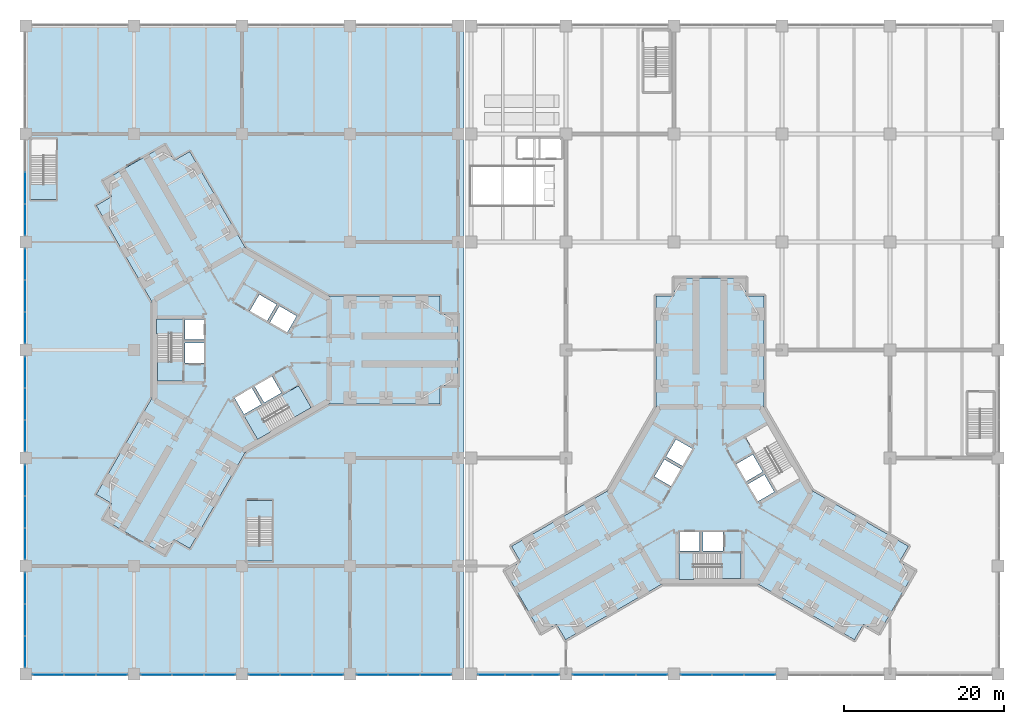
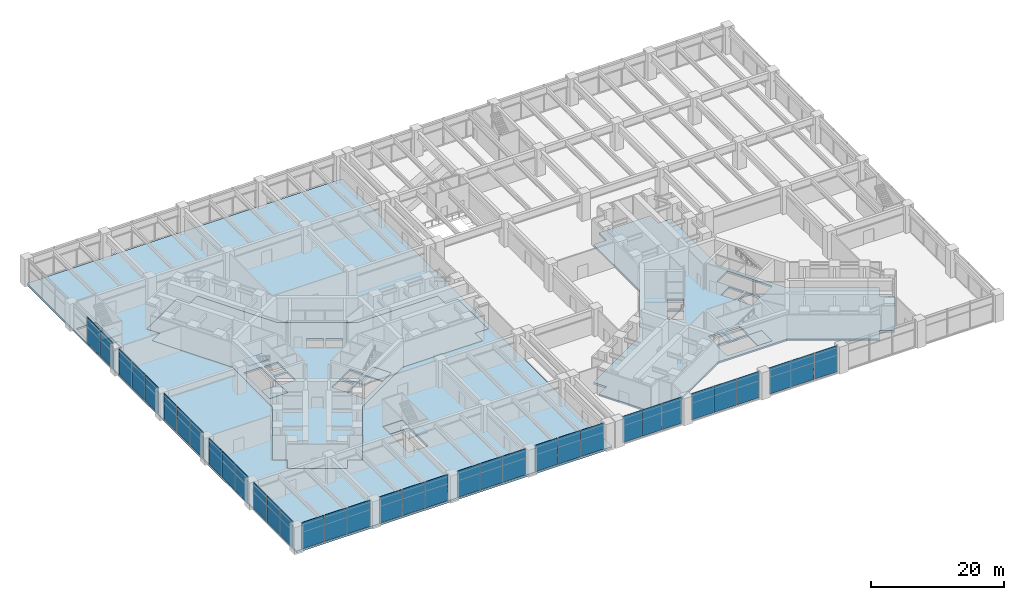
# One storey, part 18 of 32: 35 plates, 12 slabs, 17 elements without a shape of their own.
"""IFC4 building model written with IfcOpenShell, lengths in metres."""

from ifc_helpers import new_model, si_unit, direction, frame, origin, origin_2d, place, context, subcontext, project, spatial, polyline, rectangle, outline, extrude, material, layer, layer_set, type_object, element, aggregate, save


model = new_model("IFC4")

# Units and contexts
model_context = context("Model", 3, precision=1e-05, world=origin(), true_north=direction((0.0, 1.0)))
body_context = subcontext(model_context, "Body", "Model", "MODEL_VIEW")
ifc_project = project(units=[si_unit("LENGTHUNIT", "METRE"), si_unit("AREAUNIT", "SQUARE_METRE"), si_unit("VOLUMEUNIT", "CUBIC_METRE"), si_unit("PLANEANGLEUNIT", "RADIAN"), si_unit("MASSUNIT", "GRAM", prefix="KILO")], contexts=[model_context])

# Site, building, storey
site_placement = place(None, origin())
site = spatial("IfcSite", under=ifc_project, at=site_placement, CompositionType="ELEMENT")
building_placement = place(site_placement, origin())
building = spatial("IfcBuilding", under=site, at=building_placement, Name="Upepo Twin Towers", CompositionType="ELEMENT")
storey_placement = place(building_placement, frame((0.0, 0.0, 5.5)))
storey = spatial("IfcBuildingStorey", under=building, at=storey_placement, Name="L01", CompositionType="ELEMENT", Elevation=5.5)

# Curtain wall, plates
ifc_material_1 = material(Name="Aluminium and clear glass", Category="aluminium")
curtain_wall_type = type_object("IfcCurtainWallType", Name="Podium curtain wall PW1", PredefinedType="NOTDEFINED", material=ifc_material_1)
curtain_wall_1_placement = place(storey_placement, origin())
curtain_wall_1 = element("IfcCurtainWall", 1, at=curtain_wall_1_placement, inside=storey, type_object=curtain_wall_type, Name="Podium L01 curtain wall S1", PredefinedType="NOTDEFINED")
ifc_material_2 = material(Name="Ceramic-fritted laminated glass", Category="glass")
ifc_layer_1 = layer(ifc_material_2, 0.031982421875)
ifc_layer_set_1 = layer_set([ifc_layer_1], Name="Fritted glass panel, 32 mm double glazed")
plate_type_1 = type_object("IfcPlateType", Name="Fritted glass panel, 32 mm double glazed", PredefinedType="CURTAIN_PANEL", material=ifc_layer_set_1)
plate_1_placement = place(storey_placement, frame((-24.21044921875, -40.60009765625, 0.14990234375), z_axis=(0.0, 0.0, 1.0), x_axis=(1.0, 0.0, 0.0)))
plate_1 = element("IfcPlate", 2, at=plate_1_placement, type_object=plate_type_1, Name="Podium L01 curtain wall S1 panel 1", PredefinedType="CURTAIN_PANEL", context=body_context, shape_type="SweptSolid", body=[
    extrude(rectangle(XDim=3.879150390625, YDim=0.031982421875, at=origin_2d()), origin(), (0.0, 0.0, 1.0), 4.85009765625),
])
plate_2_placement = place(storey_placement, frame((-16.28955078125, -40.60009765625, 0.14990234375), z_axis=(0.0, 0.0, 1.0), x_axis=(1.0, 0.0, 0.0)))
plate_2 = element("IfcPlate", 3, at=plate_2_placement, type_object=plate_type_1, Name="Podium L01 curtain wall S1 panel 3", PredefinedType="CURTAIN_PANEL", context=body_context, shape_type="SweptSolid", body=[
    extrude(rectangle(XDim=3.879150390625, YDim=0.031982421875, at=origin_2d()), origin(), (0.0, 0.0, 1.0), 4.85009765625),
])

curtain_wall_2_placement = place(storey_placement, origin())
curtain_wall_2 = element("IfcCurtainWall", 4, at=curtain_wall_2_placement, inside=storey, type_object=curtain_wall_type, Name="Podium L01 curtain wall S2", PredefinedType="NOTDEFINED")
plate_3_placement = place(storey_placement, frame((-10.71044921875, -40.60009765625, 0.14990234375), z_axis=(0.0, 0.0, 1.0), x_axis=(1.0, 0.0, 0.0)))
plate_3 = element("IfcPlate", 5, at=plate_3_placement, type_object=plate_type_1, Name="Podium L01 curtain wall S2 panel 1", PredefinedType="CURTAIN_PANEL", context=body_context, shape_type="SweptSolid", body=[
    extrude(rectangle(XDim=3.879150390625, YDim=0.031982421875, at=origin_2d()), origin(), (0.0, 0.0, 1.0), 4.85009765625),
])
plate_4_placement = place(storey_placement, frame((-2.78955078125, -40.60009765625, 0.14990234375), z_axis=(0.0, 0.0, 1.0), x_axis=(1.0, 0.0, 0.0)))
plate_4 = element("IfcPlate", 6, at=plate_4_placement, type_object=plate_type_1, Name="Podium L01 curtain wall S2 panel 3", PredefinedType="CURTAIN_PANEL", context=body_context, shape_type="SweptSolid", body=[
    extrude(rectangle(XDim=3.879150390625, YDim=0.031982421875, at=origin_2d()), origin(), (0.0, 0.0, 1.0), 4.85009765625),
])

curtain_wall_3_placement = place(storey_placement, origin())
curtain_wall_3 = element("IfcCurtainWall", 7, at=curtain_wall_3_placement, inside=storey, type_object=curtain_wall_type, Name="Podium L01 curtain wall S3", PredefinedType="NOTDEFINED")
plate_5_placement = place(storey_placement, frame((2.78955078125, -40.60009765625, 0.14990234375), z_axis=(0.0, 0.0, 1.0), x_axis=(1.0, 0.0, 0.0)))
plate_5 = element("IfcPlate", 8, at=plate_5_placement, type_object=plate_type_1, Name="Podium L01 curtain wall S3 panel 1", PredefinedType="CURTAIN_PANEL", context=body_context, shape_type="SweptSolid", body=[
    extrude(rectangle(XDim=3.879150390625, YDim=0.031982421875, at=origin_2d()), origin(), (0.0, 0.0, 1.0), 4.85009765625),
])
plate_6_placement = place(storey_placement, frame((10.71044921875, -40.60009765625, 0.14990234375), z_axis=(0.0, 0.0, 1.0), x_axis=(1.0, 0.0, 0.0)))
plate_6 = element("IfcPlate", 9, at=plate_6_placement, type_object=plate_type_1, Name="Podium L01 curtain wall S3 panel 3", PredefinedType="CURTAIN_PANEL", context=body_context, shape_type="SweptSolid", body=[
    extrude(rectangle(XDim=3.879150390625, YDim=0.031982421875, at=origin_2d()), origin(), (0.0, 0.0, 1.0), 4.85009765625),
])

curtain_wall_4_placement = place(storey_placement, origin())
curtain_wall_4 = element("IfcCurtainWall", 10, at=curtain_wall_4_placement, inside=storey, type_object=curtain_wall_type, Name="Podium L01 curtain wall S4", PredefinedType="NOTDEFINED")
plate_7_placement = place(storey_placement, frame((16.28955078125, -40.60009765625, 0.14990234375), z_axis=(0.0, 0.0, 1.0), x_axis=(1.0, 0.0, 0.0)))
plate_7 = element("IfcPlate", 11, at=plate_7_placement, type_object=plate_type_1, Name="Podium L01 curtain wall S4 panel 1", PredefinedType="CURTAIN_PANEL", context=body_context, shape_type="SweptSolid", body=[
    extrude(rectangle(XDim=3.879150390625, YDim=0.031982421875, at=origin_2d()), origin(), (0.0, 0.0, 1.0), 4.85009765625),
])
plate_8_placement = place(storey_placement, frame((24.21044921875, -40.60009765625, 0.14990234375), z_axis=(0.0, 0.0, 1.0), x_axis=(1.0, 0.0, 0.0)))
plate_8 = element("IfcPlate", 12, at=plate_8_placement, type_object=plate_type_1, Name="Podium L01 curtain wall S4 panel 3", PredefinedType="CURTAIN_PANEL", context=body_context, shape_type="SweptSolid", body=[
    extrude(rectangle(XDim=3.879150390625, YDim=0.031982421875, at=origin_2d()), origin(), (0.0, 0.0, 1.0), 4.85009765625),
])

curtain_wall_5_placement = place(storey_placement, origin())
curtain_wall_5 = element("IfcCurtainWall", 13, at=curtain_wall_5_placement, inside=storey, type_object=curtain_wall_type, Name="Podium L01 curtain wall S5", PredefinedType="NOTDEFINED")
plate_9_placement = place(storey_placement, frame((31.16455078125, -40.60009765625, 0.14990234375), z_axis=(0.0, 0.0, 1.0), x_axis=(1.0, 0.0, 0.0)))
plate_9 = element("IfcPlate", 14, at=plate_9_placement, type_object=plate_type_1, Name="Podium L01 curtain wall S5 panel 1", PredefinedType="CURTAIN_PANEL", context=body_context, shape_type="SweptSolid", body=[
    extrude(rectangle(XDim=3.3291015625, YDim=0.031982421875, at=origin_2d()), origin(), (0.0, 0.0, 1.0), 4.85009765625),
])
plate_10_placement = place(storey_placement, frame((37.9853515625, -40.60009765625, 0.14990234375), z_axis=(0.0, 0.0, 1.0), x_axis=(1.0, 0.0, 0.0)))
plate_10 = element("IfcPlate", 15, at=plate_10_placement, type_object=plate_type_1, Name="Podium L01 curtain wall S5 panel 3", PredefinedType="CURTAIN_PANEL", context=body_context, shape_type="SweptSolid", body=[
    extrude(rectangle(XDim=3.3291015625, YDim=0.031982421875, at=origin_2d()), origin(), (0.0, 0.0, 1.0), 4.85009765625),
])

curtain_wall_6_placement = place(storey_placement, origin())
curtain_wall_6 = element("IfcCurtainWall", 16, at=curtain_wall_6_placement, inside=storey, type_object=curtain_wall_type, Name="Podium L01 curtain wall S6", PredefinedType="NOTDEFINED")
plate_11_placement = place(storey_placement, frame((43.28955078125, -40.60009765625, 0.14990234375), z_axis=(0.0, 0.0, 1.0), x_axis=(1.0, 0.0, 0.0)))
plate_11 = element("IfcPlate", 17, at=plate_11_placement, type_object=plate_type_1, Name="Podium L01 curtain wall S6 panel 1", PredefinedType="CURTAIN_PANEL", context=body_context, shape_type="SweptSolid", body=[
    extrude(rectangle(XDim=3.879150390625, YDim=0.031982421875, at=origin_2d()), origin(), (0.0, 0.0, 1.0), 4.85009765625),
])
plate_12_placement = place(storey_placement, frame((51.21044921875, -40.60009765625, 0.14990234375), z_axis=(0.0, 0.0, 1.0), x_axis=(1.0, 0.0, 0.0)))
plate_12 = element("IfcPlate", 18, at=plate_12_placement, type_object=plate_type_1, Name="Podium L01 curtain wall S6 panel 3", PredefinedType="CURTAIN_PANEL", context=body_context, shape_type="SweptSolid", body=[
    extrude(rectangle(XDim=3.879150390625, YDim=0.031982421875, at=origin_2d()), origin(), (0.0, 0.0, 1.0), 4.85009765625),
])

curtain_wall_7_placement = place(storey_placement, origin())
curtain_wall_7 = element("IfcCurtainWall", 19, at=curtain_wall_7_placement, inside=storey, type_object=curtain_wall_type, Name="Podium L01 curtain wall S7", PredefinedType="NOTDEFINED")
plate_13_placement = place(storey_placement, frame((56.78955078125, -40.60009765625, 0.14990234375), z_axis=(0.0, 0.0, 1.0), x_axis=(1.0, 0.0, 0.0)))
plate_13 = element("IfcPlate", 20, at=plate_13_placement, type_object=plate_type_1, Name="Podium L01 curtain wall S7 panel 1", PredefinedType="CURTAIN_PANEL", context=body_context, shape_type="SweptSolid", body=[
    extrude(rectangle(XDim=3.879150390625, YDim=0.031982421875, at=origin_2d()), origin(), (0.0, 0.0, 1.0), 4.85009765625),
])
plate_14_placement = place(storey_placement, frame((64.71044921875, -40.60009765625, 0.14990234375), z_axis=(0.0, 0.0, 1.0), x_axis=(1.0, 0.0, 0.0)))
plate_14 = element("IfcPlate", 21, at=plate_14_placement, type_object=plate_type_1, Name="Podium L01 curtain wall S7 panel 3", PredefinedType="CURTAIN_PANEL", context=body_context, shape_type="SweptSolid", body=[
    extrude(rectangle(XDim=3.879150390625, YDim=0.031982421875, at=origin_2d()), origin(), (0.0, 0.0, 1.0), 4.85009765625),
])

# Curtain wall, plate
curtain_wall_8_placement = place(storey_placement, origin())
curtain_wall_8 = element("IfcCurtainWall", 22, at=curtain_wall_8_placement, inside=storey, type_object=curtain_wall_type, Name="Podium L01 curtain wall W2", PredefinedType="NOTDEFINED")
plate_15_placement = place(storey_placement, frame((-27.10009765625, 16.28955078125, 0.14990234375), z_axis=(0.0, 0.0, 1.0), x_axis=(0.0, -1.0, 0.0)))
plate_15 = element("IfcPlate", 23, at=plate_15_placement, type_object=plate_type_1, Name="Podium L01 curtain wall W2 panel 3", PredefinedType="CURTAIN_PANEL", context=body_context, shape_type="SweptSolid", body=[
    extrude(rectangle(XDim=3.879150390625, YDim=0.031982421875, at=origin_2d()), origin(), (0.0, 0.0, 1.0), 4.85009765625),
])

# Curtain wall, plates
curtain_wall_9_placement = place(storey_placement, origin())
curtain_wall_9 = element("IfcCurtainWall", 24, at=curtain_wall_9_placement, inside=storey, type_object=curtain_wall_type, Name="Podium L01 curtain wall W3", PredefinedType="NOTDEFINED")
plate_16_placement = place(storey_placement, frame((-27.10009765625, 10.71044921875, 0.14990234375), z_axis=(0.0, 0.0, 1.0), x_axis=(0.0, -1.0, 0.0)))
plate_16 = element("IfcPlate", 25, at=plate_16_placement, type_object=plate_type_1, Name="Podium L01 curtain wall W3 panel 1", PredefinedType="CURTAIN_PANEL", context=body_context, shape_type="SweptSolid", body=[
    extrude(rectangle(XDim=3.879150390625, YDim=0.031982421875, at=origin_2d()), origin(), (0.0, 0.0, 1.0), 4.85009765625),
])
plate_17_placement = place(storey_placement, frame((-27.10009765625, 2.78955078125, 0.14990234375), z_axis=(0.0, 0.0, 1.0), x_axis=(0.0, -1.0, 0.0)))
plate_17 = element("IfcPlate", 26, at=plate_17_placement, type_object=plate_type_1, Name="Podium L01 curtain wall W3 panel 3", PredefinedType="CURTAIN_PANEL", context=body_context, shape_type="SweptSolid", body=[
    extrude(rectangle(XDim=3.879150390625, YDim=0.031982421875, at=origin_2d()), origin(), (0.0, 0.0, 1.0), 4.85009765625),
])

curtain_wall_10_placement = place(storey_placement, origin())
curtain_wall_10 = element("IfcCurtainWall", 27, at=curtain_wall_10_placement, inside=storey, type_object=curtain_wall_type, Name="Podium L01 curtain wall W4", PredefinedType="NOTDEFINED")
plate_18_placement = place(storey_placement, frame((-27.10009765625, -2.78955078125, 0.14990234375), z_axis=(0.0, 0.0, 1.0), x_axis=(0.0, -1.0, 0.0)))
plate_18 = element("IfcPlate", 28, at=plate_18_placement, type_object=plate_type_1, Name="Podium L01 curtain wall W4 panel 1", PredefinedType="CURTAIN_PANEL", context=body_context, shape_type="SweptSolid", body=[
    extrude(rectangle(XDim=3.879150390625, YDim=0.031982421875, at=origin_2d()), origin(), (0.0, 0.0, 1.0), 4.85009765625),
])
plate_19_placement = place(storey_placement, frame((-27.10009765625, -10.71044921875, 0.14990234375), z_axis=(0.0, 0.0, 1.0), x_axis=(0.0, -1.0, 0.0)))
plate_19 = element("IfcPlate", 29, at=plate_19_placement, type_object=plate_type_1, Name="Podium L01 curtain wall W4 panel 3", PredefinedType="CURTAIN_PANEL", context=body_context, shape_type="SweptSolid", body=[
    extrude(rectangle(XDim=3.879150390625, YDim=0.031982421875, at=origin_2d()), origin(), (0.0, 0.0, 1.0), 4.85009765625),
])

curtain_wall_11_placement = place(storey_placement, origin())
curtain_wall_11 = element("IfcCurtainWall", 30, at=curtain_wall_11_placement, inside=storey, type_object=curtain_wall_type, Name="Podium L01 curtain wall W5", PredefinedType="NOTDEFINED")
plate_20_placement = place(storey_placement, frame((-27.10009765625, -16.28955078125, 0.14990234375), z_axis=(0.0, 0.0, 1.0), x_axis=(0.0, -1.0, 0.0)))
plate_20 = element("IfcPlate", 31, at=plate_20_placement, type_object=plate_type_1, Name="Podium L01 curtain wall W5 panel 1", PredefinedType="CURTAIN_PANEL", context=body_context, shape_type="SweptSolid", body=[
    extrude(rectangle(XDim=3.879150390625, YDim=0.031982421875, at=origin_2d()), origin(), (0.0, 0.0, 1.0), 4.85009765625),
])
plate_21_placement = place(storey_placement, frame((-27.10009765625, -24.21044921875, 0.14990234375), z_axis=(0.0, 0.0, 1.0), x_axis=(0.0, -1.0, 0.0)))
plate_21 = element("IfcPlate", 32, at=plate_21_placement, type_object=plate_type_1, Name="Podium L01 curtain wall W5 panel 3", PredefinedType="CURTAIN_PANEL", context=body_context, shape_type="SweptSolid", body=[
    extrude(rectangle(XDim=3.879150390625, YDim=0.031982421875, at=origin_2d()), origin(), (0.0, 0.0, 1.0), 4.85009765625),
])

curtain_wall_12_placement = place(storey_placement, origin())
curtain_wall_12 = element("IfcCurtainWall", 33, at=curtain_wall_12_placement, inside=storey, type_object=curtain_wall_type, Name="Podium L01 curtain wall W6", PredefinedType="NOTDEFINED")
plate_22_placement = place(storey_placement, frame((-27.10009765625, -29.78955078125, 0.14990234375), z_axis=(0.0, 0.0, 1.0), x_axis=(0.0, -1.0, 0.0)))
plate_22 = element("IfcPlate", 34, at=plate_22_placement, type_object=plate_type_1, Name="Podium L01 curtain wall W6 panel 1", PredefinedType="CURTAIN_PANEL", context=body_context, shape_type="SweptSolid", body=[
    extrude(rectangle(XDim=3.879150390625, YDim=0.031982421875, at=origin_2d()), origin(), (0.0, 0.0, 1.0), 4.85009765625),
])
plate_23_placement = place(storey_placement, frame((-27.10009765625, -37.71044921875, 0.14990234375), z_axis=(0.0, 0.0, 1.0), x_axis=(0.0, -1.0, 0.0)))
plate_23 = element("IfcPlate", 35, at=plate_23_placement, type_object=plate_type_1, Name="Podium L01 curtain wall W6 panel 3", PredefinedType="CURTAIN_PANEL", context=body_context, shape_type="SweptSolid", body=[
    extrude(rectangle(XDim=3.879150390625, YDim=0.031982421875, at=origin_2d()), origin(), (0.0, 0.0, 1.0), 4.85009765625),
])

# Plate
ifc_material_3 = material(Name="Clear laminated glass in opening sash", Category="glass")
ifc_layer_2 = layer(ifc_material_3, 0.031982421875)
ifc_layer_set_2 = layer_set([ifc_layer_2], Name="Operable glass panel, 32 mm double glazed")
plate_type_2 = type_object("IfcPlateType", Name="Operable glass panel, 32 mm double glazed", PredefinedType="CURTAIN_PANEL", material=ifc_layer_set_2)
plate_24_placement = place(storey_placement, frame((-20.25, -40.60009765625, 0.14990234375), z_axis=(0.0, 0.0, 1.0), x_axis=(1.0, 0.0, 0.0)))
plate_24 = element("IfcPlate", 36, at=plate_24_placement, type_object=plate_type_2, Name="Podium L01 curtain wall S1 panel 2", PredefinedType="CURTAIN_PANEL", context=body_context, shape_type="SweptSolid", body=[
    extrude(rectangle(XDim=3.91162109375, YDim=0.031982421875, at=origin_2d()), origin(), (0.0, 0.0, 1.0), 4.85009765625),
])

aggregate(curtain_wall_1, [plate_1, plate_24, plate_2])

plate_25_placement = place(storey_placement, frame((-6.75, -40.60009765625, 0.14990234375), z_axis=(0.0, 0.0, 1.0), x_axis=(1.0, 0.0, 0.0)))
plate_25 = element("IfcPlate", 37, at=plate_25_placement, type_object=plate_type_2, Name="Podium L01 curtain wall S2 panel 2", PredefinedType="CURTAIN_PANEL", context=body_context, shape_type="SweptSolid", body=[
    extrude(rectangle(XDim=3.91162109375, YDim=0.031982421875, at=origin_2d()), origin(), (0.0, 0.0, 1.0), 4.85009765625),
])

aggregate(curtain_wall_2, [plate_3, plate_25, plate_4])

plate_26_placement = place(storey_placement, frame((6.75, -40.60009765625, 0.14990234375), z_axis=(0.0, 0.0, 1.0), x_axis=(1.0, 0.0, 0.0)))
plate_26 = element("IfcPlate", 38, at=plate_26_placement, type_object=plate_type_2, Name="Podium L01 curtain wall S3 panel 2", PredefinedType="CURTAIN_PANEL", context=body_context, shape_type="SweptSolid", body=[
    extrude(rectangle(XDim=3.91162109375, YDim=0.031982421875, at=origin_2d()), origin(), (0.0, 0.0, 1.0), 4.85009765625),
])

aggregate(curtain_wall_3, [plate_5, plate_26, plate_6])

plate_27_placement = place(storey_placement, frame((20.25, -40.60009765625, 0.14990234375), z_axis=(0.0, 0.0, 1.0), x_axis=(1.0, 0.0, 0.0)))
plate_27 = element("IfcPlate", 39, at=plate_27_placement, type_object=plate_type_2, Name="Podium L01 curtain wall S4 panel 2", PredefinedType="CURTAIN_PANEL", context=body_context, shape_type="SweptSolid", body=[
    extrude(rectangle(XDim=3.91162109375, YDim=0.031982421875, at=origin_2d()), origin(), (0.0, 0.0, 1.0), 4.85009765625),
])

aggregate(curtain_wall_4, [plate_7, plate_27, plate_8])

plate_28_placement = place(storey_placement, frame((34.574951171875, -40.60009765625, 0.14990234375), z_axis=(0.0, 0.0, 1.0), x_axis=(1.0, 0.0, 0.0)))
plate_28 = element("IfcPlate", 40, at=plate_28_placement, type_object=plate_type_2, Name="Podium L01 curtain wall S5 panel 2", PredefinedType="CURTAIN_PANEL", context=body_context, shape_type="SweptSolid", body=[
    extrude(rectangle(XDim=3.361572265625, YDim=0.031982421875, at=origin_2d()), origin(), (0.0, 0.0, 1.0), 4.85009765625),
])

aggregate(curtain_wall_5, [plate_9, plate_28, plate_10])

plate_29_placement = place(storey_placement, frame((47.25, -40.60009765625, 0.14990234375), z_axis=(0.0, 0.0, 1.0), x_axis=(1.0, 0.0, 0.0)))
plate_29 = element("IfcPlate", 41, at=plate_29_placement, type_object=plate_type_2, Name="Podium L01 curtain wall S6 panel 2", PredefinedType="CURTAIN_PANEL", context=body_context, shape_type="SweptSolid", body=[
    extrude(rectangle(XDim=3.91162109375, YDim=0.031982421875, at=origin_2d()), origin(), (0.0, 0.0, 1.0), 4.85009765625),
])

aggregate(curtain_wall_6, [plate_11, plate_29, plate_12])

plate_30_placement = place(storey_placement, frame((60.75, -40.60009765625, 0.14990234375), z_axis=(0.0, 0.0, 1.0), x_axis=(1.0, 0.0, 0.0)))
plate_30 = element("IfcPlate", 42, at=plate_30_placement, type_object=plate_type_2, Name="Podium L01 curtain wall S7 panel 2", PredefinedType="CURTAIN_PANEL", context=body_context, shape_type="SweptSolid", body=[
    extrude(rectangle(XDim=3.91162109375, YDim=0.031982421875, at=origin_2d()), origin(), (0.0, 0.0, 1.0), 4.85009765625),
])

aggregate(curtain_wall_7, [plate_13, plate_30, plate_14])

plate_31_placement = place(storey_placement, frame((-27.10009765625, 20.25, 0.14990234375), z_axis=(0.0, 0.0, 1.0), x_axis=(0.0, -1.0, 0.0)))
plate_31 = element("IfcPlate", 43, at=plate_31_placement, type_object=plate_type_2, Name="Podium L01 curtain wall W2 panel 2", PredefinedType="CURTAIN_PANEL", context=body_context, shape_type="SweptSolid", body=[
    extrude(rectangle(XDim=3.91162109375, YDim=0.031982421875, at=origin_2d()), origin(), (0.0, 0.0, 1.0), 4.85009765625),
])

aggregate(curtain_wall_8, [plate_31, plate_15])

plate_32_placement = place(storey_placement, frame((-27.10009765625, 6.75, 0.14990234375), z_axis=(0.0, 0.0, 1.0), x_axis=(0.0, -1.0, 0.0)))
plate_32 = element("IfcPlate", 44, at=plate_32_placement, type_object=plate_type_2, Name="Podium L01 curtain wall W3 panel 2", PredefinedType="CURTAIN_PANEL", context=body_context, shape_type="SweptSolid", body=[
    extrude(rectangle(XDim=3.91162109375, YDim=0.031982421875, at=origin_2d()), origin(), (0.0, 0.0, 1.0), 4.85009765625),
])

aggregate(curtain_wall_9, [plate_16, plate_32, plate_17])

plate_33_placement = place(storey_placement, frame((-27.10009765625, -6.75, 0.14990234375), z_axis=(0.0, 0.0, 1.0), x_axis=(0.0, -1.0, 0.0)))
plate_33 = element("IfcPlate", 45, at=plate_33_placement, type_object=plate_type_2, Name="Podium L01 curtain wall W4 panel 2", PredefinedType="CURTAIN_PANEL", context=body_context, shape_type="SweptSolid", body=[
    extrude(rectangle(XDim=3.91162109375, YDim=0.031982421875, at=origin_2d()), origin(), (0.0, 0.0, 1.0), 4.85009765625),
])

aggregate(curtain_wall_10, [plate_18, plate_33, plate_19])

plate_34_placement = place(storey_placement, frame((-27.10009765625, -20.25, 0.14990234375), z_axis=(0.0, 0.0, 1.0), x_axis=(0.0, -1.0, 0.0)))
plate_34 = element("IfcPlate", 46, at=plate_34_placement, type_object=plate_type_2, Name="Podium L01 curtain wall W5 panel 2", PredefinedType="CURTAIN_PANEL", context=body_context, shape_type="SweptSolid", body=[
    extrude(rectangle(XDim=3.91162109375, YDim=0.031982421875, at=origin_2d()), origin(), (0.0, 0.0, 1.0), 4.85009765625),
])

aggregate(curtain_wall_11, [plate_20, plate_34, plate_21])

plate_35_placement = place(storey_placement, frame((-27.10009765625, -33.75, 0.14990234375), z_axis=(0.0, 0.0, 1.0), x_axis=(0.0, -1.0, 0.0)))
plate_35 = element("IfcPlate", 47, at=plate_35_placement, type_object=plate_type_2, Name="Podium L01 curtain wall W6 panel 2", PredefinedType="CURTAIN_PANEL", context=body_context, shape_type="SweptSolid", body=[
    extrude(rectangle(XDim=3.91162109375, YDim=0.031982421875, at=origin_2d()), origin(), (0.0, 0.0, 1.0), 4.85009765625),
])

aggregate(curtain_wall_12, [plate_22, plate_35, plate_23])

# Slabs
ifc_material_4 = material(Name="Concrete C40/50", Category="concrete")
ifc_layer_3 = layer(ifc_material_4, 0.35009765625)
ifc_layer_set_3 = layer_set([ifc_layer_3], Name="Concrete C40/50")
slab_type_1 = type_object("IfcSlabType", Name="Podium floor slab 350 RC", PredefinedType="FLOOR", material=ifc_layer_set_3)
slab_1_placement = place(storey_placement, frame((0.0, 0.0, -0.35009765625)))
element("IfcSlab", 48, at=slab_1_placement, inside=storey, type_object=slab_type_1, Name="T1 L01 floor slab", PredefinedType="FLOOR", context=body_context, shape_type="SweptSolid", body=[
    extrude(outline(polyline([(-8.477783203125, -23.68408203125), (-9.602783203125, -25.632568359375), (-17.397216796875, -21.132568359375), (-16.272216796875, -19.18408203125), (-18.220703125, -18.05908203125), (-11.25830078125, -6.0), (-11.25830078125, 6.0), (-18.220703125, 18.05908203125), (-16.272216796875, 19.18408203125), (-17.397216796875, 21.132568359375), (-9.602783203125, 25.632568359375), (-8.477783203125, 23.68408203125), (-6.529296875, 24.80908203125), (0.43310546875, 12.75), (10.825439453125, 6.75), (24.75, 6.75), (24.75, 4.5), (27.0, 4.5), (27.0, -4.5), (24.75, -4.5), (24.75, -6.75), (10.825439453125, -6.75), (0.43310546875, -12.75), (-6.529296875, -24.80908203125), (-8.477783203125, -23.68408203125)]), holes=[polyline([(5.640869140625, 2.17041015625), (6.8408203125, 4.248779296875), (4.67578125, 5.498779296875), (3.475830078125, 3.42041015625), (5.640869140625, 2.17041015625)]), polyline([(3.12939453125, 3.620361328125), (4.329345703125, 5.69873046875), (2.164306640625, 6.94873046875), (0.96435546875, 4.870361328125), (3.12939453125, 3.620361328125)]), polyline([(-4.699951171875, 3.800048828125), (-7.10009765625, 3.800048828125), (-7.10009765625, 1.300048828125), (-4.699951171875, 1.300048828125), (-4.699951171875, 3.800048828125)]), polyline([(-4.699951171875, 0.89990234375), (-7.10009765625, 0.89990234375), (-7.10009765625, -1.60009765625), (-4.699951171875, -1.60009765625), (-4.699951171875, 0.89990234375)]), polyline([(-7.39990234375, 3.89990234375), (-10.558349609375, 3.89990234375), (-10.558349609375, -3.89990234375), (-7.39990234375, -3.89990234375), (-7.39990234375, 3.89990234375)]), polyline([(-0.94091796875, -5.97021484375), (0.259033203125, -8.048828125), (2.424072265625, -6.798828125), (1.22412109375, -4.72021484375), (-0.94091796875, -5.97021484375)]), polyline([(1.570556640625, -4.520263671875), (2.7705078125, -6.598876953125), (4.935546875, -5.348876953125), (3.735595703125, -3.270263671875), (1.570556640625, -4.520263671875)]), polyline([(0.322509765625, -8.358642578125), (1.901611328125, -11.09375), (8.65673828125, -7.19384765625), (7.077392578125, -4.45849609375), (0.322509765625, -8.358642578125)])]), origin(), (0.0, 0.0, 1.0), 0.35009765625),
])
slab_2_placement = place(storey_placement, frame((0.0, 0.0, -0.35009765625)))
element("IfcSlab", 49, at=slab_2_placement, inside=storey, type_object=slab_type_1, Name="T2 L01 floor slab", PredefinedType="FLOOR", context=body_context, shape_type="SweptSolid", body=[
    extrude(outline(polyline([(82.18408203125, -26.477783203125), (84.132568359375, -27.602783203125), (79.632568359375, -35.397216796875), (77.68408203125, -34.272216796875), (76.55908203125, -36.220703125), (64.5, -29.25830078125), (52.5, -29.25830078125), (40.44091796875, -36.220703125), (39.31591796875, -34.272216796875), (37.367431640625, -35.397216796875), (32.867431640625, -27.602783203125), (34.81591796875, -26.477783203125), (33.69091796875, -24.529296875), (45.75, -17.56689453125), (51.75, -7.174560546875), (51.75, 6.75), (54.0, 6.75), (54.0, 9.0), (63.0, 9.0), (63.0, 6.75), (65.25, 6.75), (65.25, -7.174560546875), (71.25, -17.56689453125), (83.30908203125, -24.529296875), (82.18408203125, -26.477783203125)]), holes=[polyline([(56.32958984375, -12.359130859375), (54.251220703125, -11.1591796875), (53.001220703125, -13.32421875), (55.07958984375, -14.524169921875), (56.32958984375, -12.359130859375)]), polyline([(54.879638671875, -14.87060546875), (52.80126953125, -13.670654296875), (51.55126953125, -15.835693359375), (53.629638671875, -17.03564453125), (54.879638671875, -14.87060546875)]), polyline([(54.699951171875, -22.699951171875), (54.699951171875, -25.10009765625), (57.199951171875, -25.10009765625), (57.199951171875, -22.699951171875), (54.699951171875, -22.699951171875)]), polyline([(57.60009765625, -22.699951171875), (57.60009765625, -25.10009765625), (60.10009765625, -25.10009765625), (60.10009765625, -22.699951171875), (57.60009765625, -22.699951171875)]), polyline([(54.60009765625, -25.39990234375), (54.60009765625, -28.558349609375), (62.39990234375, -28.558349609375), (62.39990234375, -25.39990234375), (54.60009765625, -25.39990234375)]), polyline([(64.47021484375, -18.94091796875), (66.548828125, -17.740966796875), (65.298828125, -15.575927734375), (63.22021484375, -16.77587890625), (64.47021484375, -18.94091796875)]), polyline([(63.020263671875, -16.429443359375), (65.098876953125, -15.2294921875), (63.848876953125, -13.064453125), (61.770263671875, -14.264404296875), (63.020263671875, -16.429443359375)]), polyline([(66.858642578125, -17.677490234375), (69.59375, -16.098388671875), (65.69384765625, -9.34326171875), (62.95849609375, -10.922607421875), (66.858642578125, -17.677490234375)])]), origin(), (0.0, 0.0, 1.0), 0.35009765625),
])
slab_3_placement = place(storey_placement, frame((0.0, 0.0, -0.35009765625)))
element("IfcSlab", 50, at=slab_3_placement, inside=storey, type_object=slab_type_1, Name="L01 podium floor slab west", PredefinedType="FLOOR", context=body_context, shape_type="SweptSolid", body=[
    extrude(outline(polyline([(27.75, 40.5), (27.75, -40.5), (-27.0, -40.5), (-27.0, 40.5), (27.75, 40.5)]), holes=[polyline([(-8.477783203125, -23.68408203125), (-9.602783203125, -25.632568359375), (-17.397216796875, -21.132568359375), (-16.272216796875, -19.18408203125), (-18.220703125, -18.05908203125), (-11.25830078125, -6.0), (-11.25830078125, 6.0), (-18.220703125, 18.05908203125), (-16.272216796875, 19.18408203125), (-17.397216796875, 21.132568359375), (-9.602783203125, 25.632568359375), (-8.477783203125, 23.68408203125), (-6.529296875, 24.80908203125), (0.43310546875, 12.75), (10.825439453125, 6.75), (24.75, 6.75), (24.75, 4.5), (27.0, 4.5), (27.0, -4.5), (24.75, -4.5), (24.75, -6.75), (10.825439453125, -6.75), (0.43310546875, -12.75), (-6.529296875, -24.80908203125), (-8.477783203125, -23.68408203125)]), polyline([(-23.10009765625, 18.699951171875), (-23.10009765625, 26.5), (-26.5, 26.5), (-26.5, 18.699951171875), (-23.10009765625, 18.699951171875)]), polyline([(3.89990234375, -26.5), (3.89990234375, -18.699951171875), (0.5, -18.699951171875), (0.5, -26.5), (3.89990234375, -26.5)])]), origin(), (0.0, 0.0, 1.0), 0.35009765625),
])

# Stair, slabs
ifc_material_5 = material(Name="Concrete C40/50", Category="concrete")
stair_type_1 = type_object("IfcStairType", Name="Core stair, two flights", PredefinedType="HALF_TURN_STAIR", material=ifc_material_5)
stair_1_placement = place(storey_placement, origin())
stair_1 = element("IfcStair", 51, at=stair_1_placement, inside=storey, type_object=stair_type_1, Name="T1 stair S1 L01", PredefinedType="HALF_TURN_STAIR")
ifc_material_6 = material(Name="Concrete C40/50", Category="concrete")
ifc_layer_4 = layer(ifc_material_6, 0.199951171875)
ifc_layer_set_4 = layer_set([ifc_layer_4], Name="Concrete C40/50")
slab_type_2 = type_object("IfcSlabType", Name="Stair landing 200 RC", PredefinedType="LANDING", material=ifc_layer_set_4)
slab_4_placement = place(storey_placement, frame((0.0, 0.0, -0.199951171875)))
slab_4 = element("IfcSlab", 52, at=slab_4_placement, type_object=slab_type_2, Name="Stair S1 landing 1", PredefinedType="LANDING", context=body_context, shape_type="SweptSolid", body=[
    extrude(outline(polyline([(-7.39990234375, -1.419921875), (-10.558349609375, -1.419921875), (-10.558349609375, -3.89990234375), (-7.39990234375, -3.89990234375), (-7.39990234375, -1.419921875)])), origin(), (0.0, 0.0, 1.0), 0.199951171875),
])
slab_5_placement = place(storey_placement, frame((0.0, 0.0, 2.300048828125)))
slab_5 = element("IfcSlab", 53, at=slab_5_placement, type_object=slab_type_2, Name="Stair S1 landing 2", PredefinedType="LANDING", context=body_context, shape_type="SweptSolid", body=[
    extrude(outline(polyline([(-7.300048828125, 3.89990234375), (-10.658447265625, 3.89990234375), (-10.658447265625, 2.02001953125), (-7.300048828125, 2.02001953125), (-7.300048828125, 3.89990234375)])), origin(), (0.0, 0.0, 1.0), 0.199951171875),
])
aggregate(stair_1, [slab_4, slab_5])

stair_2_placement = place(storey_placement, origin())
stair_2 = element("IfcStair", 54, at=stair_2_placement, inside=storey, type_object=stair_type_1, Name="T1 stair S2 L01", PredefinedType="HALF_TURN_STAIR")
slab_6_placement = place(storey_placement, frame((0.0, 0.0, -0.199951171875)))
slab_6 = element("IfcSlab", 55, at=slab_6_placement, type_object=slab_type_2, Name="Stair S2 landing 1", PredefinedType="LANDING", context=body_context, shape_type="SweptSolid", body=[
    extrude(outline(polyline([(4.9296875, -5.698486328125), (6.509033203125, -8.433837890625), (8.65673828125, -7.19384765625), (7.077392578125, -4.45849609375), (4.9296875, -5.698486328125)])), origin(), (0.0, 0.0, 1.0), 0.199951171875),
])
slab_7_placement = place(storey_placement, frame((0.0, 0.0, 2.300048828125)))
slab_7 = element("IfcSlab", 56, at=slab_7_placement, type_object=slab_type_2, Name="Stair S2 landing 2", PredefinedType="LANDING", context=body_context, shape_type="SweptSolid", body=[
    extrude(outline(polyline([(0.2724609375, -8.27197265625), (1.95166015625, -11.180419921875), (3.579833984375, -10.240478515625), (1.900634765625, -7.33203125), (0.2724609375, -8.27197265625)])), origin(), (0.0, 0.0, 1.0), 0.199951171875),
])
aggregate(stair_2, [slab_6, slab_7])

stair_3_placement = place(storey_placement, origin())
stair_3 = element("IfcStair", 57, at=stair_3_placement, inside=storey, type_object=stair_type_1, Name="T2 stair S1 L01", PredefinedType="HALF_TURN_STAIR")
slab_8_placement = place(storey_placement, frame((0.0, 0.0, -0.199951171875)))
slab_8 = element("IfcSlab", 58, at=slab_8_placement, type_object=slab_type_2, Name="Stair S1 landing 1", PredefinedType="LANDING", context=body_context, shape_type="SweptSolid", body=[
    extrude(outline(polyline([(59.919921875, -25.39990234375), (59.919921875, -28.558349609375), (62.39990234375, -28.558349609375), (62.39990234375, -25.39990234375), (59.919921875, -25.39990234375)])), origin(), (0.0, 0.0, 1.0), 0.199951171875),
])
slab_9_placement = place(storey_placement, frame((0.0, 0.0, 2.300048828125)))
slab_9 = element("IfcSlab", 59, at=slab_9_placement, type_object=slab_type_2, Name="Stair S1 landing 2", PredefinedType="LANDING", context=body_context, shape_type="SweptSolid", body=[
    extrude(outline(polyline([(54.60009765625, -25.300048828125), (54.60009765625, -28.658447265625), (56.47998046875, -28.658447265625), (56.47998046875, -25.300048828125), (54.60009765625, -25.300048828125)])), origin(), (0.0, 0.0, 1.0), 0.199951171875),
])
aggregate(stair_3, [slab_8, slab_9])

# Stair, slab
ifc_material_7 = material(Name="Concrete C40/50", Category="concrete")
stair_type_2 = type_object("IfcStairType", Name="Podium stair, two flights", PredefinedType="HALF_TURN_STAIR", material=ifc_material_7)
stair_4_placement = place(storey_placement, origin())
stair_4 = element("IfcStair", 60, at=stair_4_placement, inside=storey, type_object=stair_type_2, Name="Podium stair PS1 L01", PredefinedType="HALF_TURN_STAIR")
slab_10_placement = place(storey_placement, frame((0.0, 0.0, 2.300048828125)))
slab_10 = element("IfcSlab", 61, at=slab_10_placement, type_object=slab_type_2, Name="Stair PS1 landing 2", PredefinedType="LANDING", context=body_context, shape_type="SweptSolid", body=[
    extrude(outline(polyline([(-26.5, 18.800048828125), (-23.10009765625, 18.800048828125), (-23.10009765625, 20.780029296875), (-26.5, 20.780029296875), (-26.5, 18.800048828125)])), origin(), (0.0, 0.0, 1.0), 0.199951171875),
])
aggregate(stair_4, [slab_10])

# Stair, slabs
stair_5_placement = place(storey_placement, origin())
stair_5 = element("IfcStair", 62, at=stair_5_placement, inside=storey, type_object=stair_type_2, Name="Podium stair PS3 L01", PredefinedType="HALF_TURN_STAIR")
slab_11_placement = place(storey_placement, frame((0.0, 0.0, -0.199951171875)))
slab_11 = element("IfcSlab", 63, at=slab_11_placement, type_object=slab_type_2, Name="Stair PS3 landing 1", PredefinedType="LANDING", context=body_context, shape_type="SweptSolid", body=[
    extrude(outline(polyline([(0.5, -20.97998046875), (3.89990234375, -20.97998046875), (3.89990234375, -18.800048828125), (0.5, -18.800048828125), (0.5, -20.97998046875)])), origin(), (0.0, 0.0, 1.0), 0.199951171875),
])
slab_12_placement = place(storey_placement, frame((0.0, 0.0, 2.300048828125)))
slab_12 = element("IfcSlab", 64, at=slab_12_placement, type_object=slab_type_2, Name="Stair PS3 landing 2", PredefinedType="LANDING", context=body_context, shape_type="SweptSolid", body=[
    extrude(outline(polyline([(0.5, -26.39990234375), (3.89990234375, -26.39990234375), (3.89990234375, -24.419921875), (0.5, -24.419921875), (0.5, -26.39990234375)])), origin(), (0.0, 0.0, 1.0), 0.199951171875),
])
aggregate(stair_5, [slab_11, slab_12])

save(model, "model.ifc")
